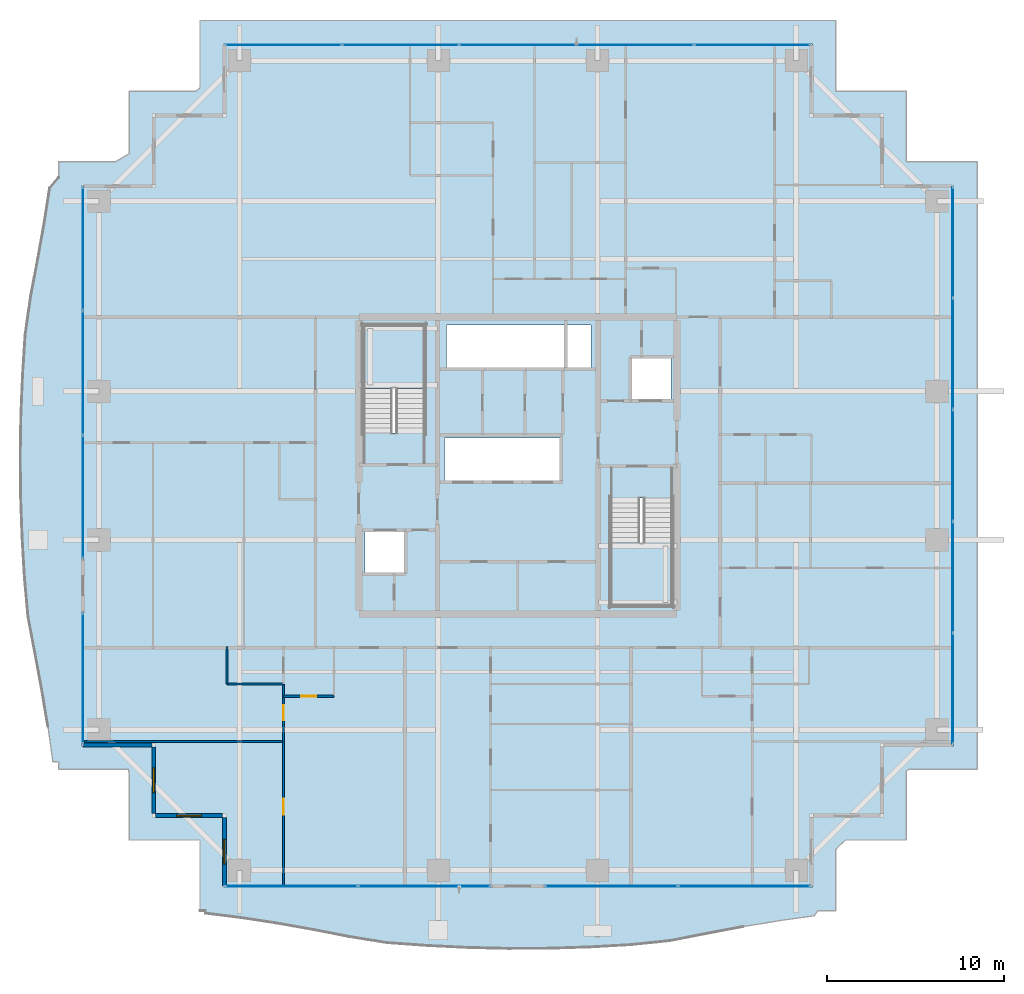
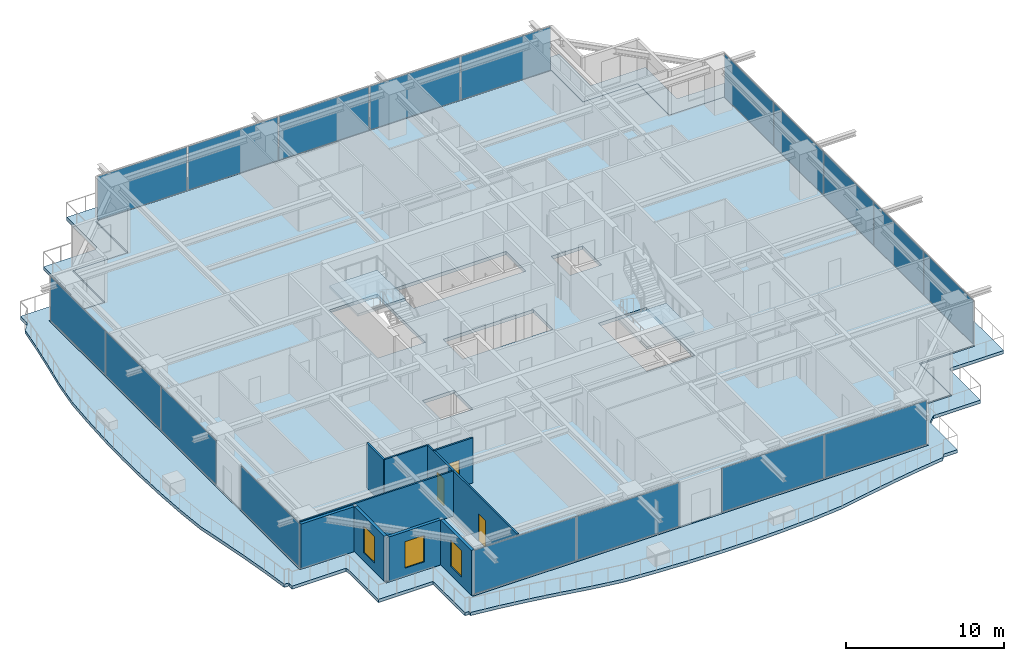
# One storey, part 22 of 35: 18 plates, 10 walls, 4 slabs, 3 doors, 3 windows, 6 openings, 8 elements without a shape of their own.
"""IFC4 building model written with IfcOpenShell, lengths in metres."""

from ifc_helpers import new_model, si_unit, direction, frame, frame_2d, origin, origin_2d, place, context, subcontext, project, spatial, polyline, rectangle, outline, extrude, source, transform, mapped, material, layer, layer_set, type_object, element, fill, aggregate, save


model = new_model("IFC4")

# Units and contexts
model_context = context("Model", 3, precision=1e-05, world=origin(), true_north=direction((0.0, 1.0)))
body_context = subcontext(model_context, "Body", "Model", "MODEL_VIEW")
ifc_project = project(units=[si_unit("LENGTHUNIT", "METRE"), si_unit("AREAUNIT", "SQUARE_METRE"), si_unit("VOLUMEUNIT", "CUBIC_METRE"), si_unit("PLANEANGLEUNIT", "RADIAN"), si_unit("MASSUNIT", "GRAM", prefix="KILO")], contexts=[model_context])

# Site, building, storey
site_placement = place(None, origin())
site = spatial("IfcSite", under=ifc_project, at=site_placement, CompositionType="ELEMENT")
building_placement = place(site_placement, origin())
building = spatial("IfcBuilding", under=site, at=building_placement, Name="Serunith Strait Residences", CompositionType="ELEMENT")
storey_placement = place(building_placement, frame((0.0, 0.0, 157.64990234375)))
storey = spatial("IfcBuildingStorey", under=building, at=storey_placement, Name="L39", CompositionType="ELEMENT", Elevation=157.64990234375)

# Slab
ifc_material_1 = material(Name="Concrete C50/60", Category="concrete")
ifc_layer_1 = layer(ifc_material_1, 0.239990234375, Name="Concrete C50/60")
ifc_layer_set_1 = layer_set([ifc_layer_1], Name="Concrete C50/60")
slab_type_1 = type_object("IfcSlabType", Name="SLB-BALC-240", PredefinedType="FLOOR", material=ifc_layer_set_1)
slab_1_placement = place(storey_placement, frame((0.0, 0.0, -0.289794921875)))
element("IfcSlab", 1, at=slab_1_placement, inside=storey, type_object=slab_type_1, Name="L39 Planted Vertical-Forest Balcony Slab", PredefinedType="FLOOR", context=body_context, shape_type="SweptSolid", body=[
    extrude(outline(polyline([(14.419921875, 0.02001953125), (14.419921875, 4.02001953125), (10.419921875, 4.02001953125), (10.419921875, 7.682861328125), (10.370361328125, 8.02001953125), (6.419921875, 8.02001953125), (6.419921875, 8.4287109375), (6.0947265625, 8.447265625), (5.815185546875, 10.44873046875), (5.480712890625, 12.469970703125), (5.10009765625, 14.52783203125), (4.69677734375, 16.641357421875), (4.49658203125, 18.866943359375), (4.364013671875, 21.13525390625), (4.281982421875, 23.42822265625), (4.258544921875, 25.73388671875), (4.2958984375, 28.037109375), (4.390625, 30.32373046875), (4.53369140625, 32.581787109375), (4.842041015625, 34.759521484375), (5.239501953125, 36.84814453125), (5.60400390625, 38.888427734375), (5.91748046875, 40.899169921875), (6.419921875, 41.486083984375), (6.419921875, 42.3798828125), (9.62646484375, 42.3798828125), (10.419921875, 42.852783203125), (10.419921875, 46.3798828125), (14.192138671875, 46.3798828125), (14.419921875, 46.5625), (14.419921875, 50.3798828125), (50.3798828125, 50.3798828125), (50.3798828125, 46.3798828125), (54.3798828125, 46.3798828125), (54.3798828125, 42.3798828125), (58.3798828125, 42.3798828125), (58.3798828125, 8.02001953125), (54.51513671875, 8.02001953125), (54.3798828125, 7.921875), (54.3798828125, 4.02001953125), (50.935791015625, 4.02001953125), (50.3798828125, 3.485107421875), (50.3798828125, 0.02001953125), (49.37353515625, 0.02001953125), (49.166015625, -0.27001953125), (47.16748046875, -0.548583984375), (45.150634765625, -0.8857421875), (43.0966796875, -1.27294921875), (40.985595703125, -1.686279296875), (38.760986328125, -1.9150390625), (36.48291015625, -2.043701171875), (34.178955078125, -2.116943359375), (31.8642578125, -2.126953125), (29.55419921875, -2.072998046875), (27.2646484375, -1.960693359375), (25.0068359375, -1.80078125), (22.84423828125, -1.45166015625), (20.764892578125, -1.047607421875), (18.732421875, -0.685302734375), (16.726318359375, -0.37939453125), (14.731201171875, -0.13232421875), (14.732421875, 0.02001953125), (14.419921875, 0.02001953125)]), holes=[polyline([(49.054931640625, 1.344970703125), (49.054931640625, 5.344970703125), (53.054931640625, 5.344970703125), (53.054931640625, 9.344970703125), (57.054931640625, 9.344970703125), (57.054931640625, 41.054931640625), (53.054931640625, 41.054931640625), (53.054931640625, 45.054931640625), (49.054931640625, 45.054931640625), (49.054931640625, 49.054931640625), (15.7451171875, 49.054931640625), (15.7451171875, 45.054931640625), (11.7451171875, 45.054931640625), (11.7451171875, 41.054931640625), (7.7451171875, 41.054931640625), (7.7451171875, 9.344970703125), (11.7451171875, 9.344970703125), (11.7451171875, 5.344970703125), (15.7451171875, 5.344970703125), (15.7451171875, 1.344970703125), (49.054931640625, 1.344970703125)])]), origin(), (0.0, 0.0, 1.0), 0.239990234375),
])

# Stair, slab
stair_type_1 = type_object("IfcStairType", Name="STR-CORE-1", PredefinedType="HALF_TURN_STAIR", material=ifc_material_1)
stair_1_placement = place(storey_placement, origin())
stair_1 = element("IfcStair", 2, at=stair_1_placement, inside=storey, type_object=stair_type_1, Name="L39 Protected Escape Stair ST-1", PredefinedType="HALF_TURN_STAIR")
ifc_layer_2 = layer(ifc_material_1, 0.199951171875, Name="Concrete C50/60")
ifc_layer_set_2 = layer_set([ifc_layer_2], Name="Concrete C50/60")
slab_type_2 = type_object("IfcSlabType", Name="SLB-LAND-200", PredefinedType="LANDING", material=ifc_layer_set_2)
slab_2_placement = place(storey_placement, frame((0.0, 0.0, 1.675048828125)))
slab_2 = element("IfcSlab", 3, at=slab_2_placement, type_object=slab_type_2, Name="ST-1 landing 1", PredefinedType="LANDING", context=body_context, shape_type="SweptSolid", body=[
    extrude(outline(polyline([(27.14990234375, 29.550048828125), (27.14990234375, 33.14990234375), (23.64990234375, 33.14990234375), (23.64990234375, 29.550048828125), (27.14990234375, 29.550048828125)])), origin(), (0.0, 0.0, 1.0), 0.199951171875),
])
aggregate(stair_1, [slab_2])

stair_type_2 = type_object("IfcStairType", Name="STR-CORE-2", PredefinedType="HALF_TURN_STAIR", material=ifc_material_1)
stair_2_placement = place(storey_placement, origin())
stair_2 = element("IfcStair", 4, at=stair_2_placement, inside=storey, type_object=stair_type_2, Name="L39 Protected Escape Stair ST-2", PredefinedType="HALF_TURN_STAIR")
slab_3_placement = place(storey_placement, frame((0.0, 0.0, 1.675048828125)))
slab_3 = element("IfcSlab", 5, at=slab_3_placement, type_object=slab_type_2, Name="ST-2 landing 1", PredefinedType="LANDING", context=body_context, shape_type="SweptSolid", body=[
    extrude(outline(polyline([(37.64990234375, 20.85009765625), (37.64990234375, 17.25), (41.14990234375, 17.25), (41.14990234375, 20.85009765625), (37.64990234375, 20.85009765625)])), origin(), (0.0, 0.0, 1.0), 0.199951171875),
])
aggregate(stair_2, [slab_3])

# Slab
ifc_material_2 = material(Name="Concrete C60/75", Category="concrete")
ifc_layer_3 = layer(ifc_material_2, 0.260009765625, Name="Concrete C60/75")
ifc_layer_set_3 = layer_set([ifc_layer_3], Name="Concrete C60/75")
slab_type_3 = type_object("IfcSlabType", Name="SLB-TWR-260-Z2", PredefinedType="FLOOR", material=ifc_layer_set_3)
slab_4_placement = place(storey_placement, frame((0.0, 0.0, -0.260009765625)))
element("IfcSlab", 6, at=slab_4_placement, inside=storey, type_object=slab_type_3, Name="L39 Structural Floor Plate", PredefinedType="FLOOR", context=body_context, shape_type="SweptSolid", body=[
    extrude(outline(polyline([(15.800048828125, 5.39990234375), (11.800048828125, 5.39990234375), (11.800048828125, 9.39990234375), (7.800048828125, 9.39990234375), (7.800048828125, 41.0), (11.800048828125, 41.0), (11.800048828125, 45.0), (15.800048828125, 45.0), (15.800048828125, 49.0), (49.0, 49.0), (49.0, 45.0), (53.0, 45.0), (53.0, 41.0), (57.0, 41.0), (57.0, 9.39990234375), (53.0, 9.39990234375), (53.0, 5.39990234375), (49.0, 5.39990234375), (49.0, 1.39990234375), (15.800048828125, 1.39990234375), (15.800048828125, 5.39990234375)]), holes=[polyline([(41.14990234375, 23.3701171875), (37.64990234375, 23.3701171875), (37.64990234375, 17.25), (41.14990234375, 17.25), (41.14990234375, 23.3701171875)]), polyline([(38.75, 31.25), (38.75, 28.85009765625), (41.050048828125, 28.85009765625), (41.050048828125, 31.25), (38.75, 31.25)]), polyline([(36.550048828125, 33.14990234375), (28.35009765625, 33.14990234375), (28.35009765625, 30.64990234375), (36.550048828125, 30.64990234375), (36.550048828125, 33.14990234375)]), polyline([(34.85009765625, 26.75), (28.25, 26.75), (28.25, 24.25), (34.85009765625, 24.25), (34.85009765625, 26.75)]), polyline([(23.64990234375, 33.14990234375), (23.64990234375, 27.030029296875), (27.14990234375, 27.030029296875), (27.14990234375, 33.14990234375), (23.64990234375, 33.14990234375)]), polyline([(26.050048828125, 21.550048828125), (23.75, 21.550048828125), (23.75, 19.14990234375), (26.050048828125, 19.14990234375), (26.050048828125, 21.550048828125)])]), origin(), (0.0, 0.0, 1.0), 0.260009765625),
])

# Curtain wall, plates
ifc_material_3 = material(Name="Pale-Champagne Anodised Aluminium", Category="aluminium")
ifc_layer_4 = layer(ifc_material_3, 0.199951171875, Name="Pale-Champagne Anodised Aluminium")
ifc_layer_set_4 = layer_set([ifc_layer_4], Name="Pale-Champagne Anodised Aluminium")
curtain_wall_type = type_object("IfcCurtainWallType", Name="CW-SYS2", PredefinedType="NOTDEFINED", material=ifc_layer_set_4)
curtain_wall_1_placement = place(storey_placement, origin())
curtain_wall_1 = element("IfcCurtainWall", 7, at=curtain_wall_1_placement, inside=storey, type_object=curtain_wall_type, Name="L39 N Unitised Fritted Curtain Wall", PredefinedType="NOTDEFINED")
ifc_material_4 = material(Name="Diagonal-Frit Operable Low-E Glazing 30mm", Category="glass")
ifc_layer_5 = layer(ifc_material_4, 0.030029296875, Name="Diagonal-Frit Operable Low-E Glazing 30mm")
ifc_layer_set_5 = layer_set([ifc_layer_5], Name="Diagonal-Frit Operable Low-E Glazing 30mm")
plate_type = type_object("IfcPlateType", Name="CW-SYS2-PNL", PredefinedType="CURTAIN_PANEL", material=ifc_layer_set_5)
shared_shape_1 = source(origin(), body_context, "Body", "SweptSolid", [
    extrude(rectangle(XDim=6.534912109375, YDim=0.030029296875, at=origin_2d()), origin(), (0.0, 0.0, 1.0), 3.35498046875),
])
plate_1_placement = place(storey_placement, frame((45.66259765625, 49.0, 0.06005859375), z_axis=(0.0, 0.0, 1.0), x_axis=(-1.0, 0.0, 0.0)))
plate_1 = element("IfcPlate", 8, at=plate_1_placement, type_object=plate_type, Name="CW-2 panel 1.1", PredefinedType="CURTAIN_PANEL", context=body_context, shape_type="MappedRepresentation", body=[
    mapped(shared_shape_1, transform((0.0, 0.0, 0.0), scale=1.0)),
])
plate_2_placement = place(storey_placement, frame((19.137451171875, 49.0, 0.06005859375), z_axis=(0.0, 0.0, 1.0), x_axis=(-1.0, 0.0, 0.0)))
plate_2 = element("IfcPlate", 9, at=plate_2_placement, type_object=plate_type, Name="CW-2 panel 5.1", PredefinedType="CURTAIN_PANEL", context=body_context, shape_type="MappedRepresentation", body=[
    mapped(shared_shape_1, transform((0.0, 0.0, 0.0), scale=1.0)),
])
shared_shape_2 = source(origin(), body_context, "Body", "SweptSolid", [
    extrude(rectangle(XDim=6.570068359375, YDim=0.030029296875, at=origin_2d()), origin(), (0.0, 0.0, 1.0), 3.35498046875),
])
plate_3_placement = place(storey_placement, frame((39.0400390625, 49.0, 0.06005859375), z_axis=(0.0, 0.0, 1.0), x_axis=(-1.0, 0.0, 0.0)))
plate_3 = element("IfcPlate", 10, at=plate_3_placement, type_object=plate_type, Name="CW-2 panel 2.1", PredefinedType="CURTAIN_PANEL", context=body_context, shape_type="MappedRepresentation", body=[
    mapped(shared_shape_2, transform((0.0, 0.0, 0.0), scale=1.0)),
])
plate_4_placement = place(storey_placement, frame((32.39990234375, 49.0, 0.06005859375), z_axis=(0.0, 0.0, 1.0), x_axis=(-1.0, 0.0, 0.0)))
plate_4 = element("IfcPlate", 11, at=plate_4_placement, type_object=plate_type, Name="CW-2 panel 3.1", PredefinedType="CURTAIN_PANEL", context=body_context, shape_type="MappedRepresentation", body=[
    mapped(shared_shape_2, transform((0.0, 0.0, 0.0), scale=1.0)),
])
plate_5_placement = place(storey_placement, frame((25.760009765625, 49.0, 0.06005859375), z_axis=(0.0, 0.0, 1.0), x_axis=(-1.0, 0.0, 0.0)))
plate_5 = element("IfcPlate", 12, at=plate_5_placement, type_object=plate_type, Name="CW-2 panel 4.1", PredefinedType="CURTAIN_PANEL", context=body_context, shape_type="MappedRepresentation", body=[
    mapped(shared_shape_2, transform((0.0, 0.0, 0.0), scale=1.0)),
])
aggregate(curtain_wall_1, [plate_1, plate_3, plate_4, plate_5, plate_2])

curtain_wall_2_placement = place(storey_placement, origin())
curtain_wall_2 = element("IfcCurtainWall", 13, at=curtain_wall_2_placement, inside=storey, type_object=curtain_wall_type, Name="L39 E Unitised Fritted Curtain Wall", PredefinedType="NOTDEFINED")
shared_shape_3 = source(origin(), body_context, "Body", "SweptSolid", [
    extrude(rectangle(XDim=6.215087890625, YDim=0.030029296875, at=origin_2d()), origin(), (0.0, 0.0, 1.0), 3.35498046875),
])
plate_6_placement = place(storey_placement, frame((57.0, 12.577392578125, 0.06005859375), z_axis=(0.0, 0.0, 1.0), x_axis=(0.0, 1.0, 0.0)))
plate_6 = element("IfcPlate", 14, at=plate_6_placement, type_object=plate_type, Name="CW-2 panel 1.1", PredefinedType="CURTAIN_PANEL", context=body_context, shape_type="MappedRepresentation", body=[
    mapped(shared_shape_3, transform((0.0, 0.0, 0.0), scale=1.0)),
])
plate_7_placement = place(storey_placement, frame((57.0, 37.822509765625, 0.06005859375), z_axis=(0.0, 0.0, 1.0), x_axis=(0.0, 1.0, 0.0)))
plate_7 = element("IfcPlate", 15, at=plate_7_placement, type_object=plate_type, Name="CW-2 panel 5.1", PredefinedType="CURTAIN_PANEL", context=body_context, shape_type="MappedRepresentation", body=[
    mapped(shared_shape_3, transform((0.0, 0.0, 0.0), scale=1.0)),
])
shared_shape_4 = source(origin(), body_context, "Body", "SweptSolid", [
    extrude(rectangle(XDim=6.25, YDim=0.030029296875, at=origin_2d()), origin(), (0.0, 0.0, 1.0), 3.35498046875),
])
plate_8_placement = place(storey_placement, frame((57.0, 18.8798828125, 0.06005859375), z_axis=(0.0, 0.0, 1.0), x_axis=(0.0, 1.0, 0.0)))
plate_8 = element("IfcPlate", 16, at=plate_8_placement, type_object=plate_type, Name="CW-2 panel 2.1", PredefinedType="CURTAIN_PANEL", context=body_context, shape_type="MappedRepresentation", body=[
    mapped(shared_shape_4, transform((0.0, 0.0, 0.0), scale=1.0)),
])
plate_9_placement = place(storey_placement, frame((57.0, 25.199951171875, 0.06005859375), z_axis=(0.0, 0.0, 1.0), x_axis=(0.0, 1.0, 0.0)))
plate_9 = element("IfcPlate", 17, at=plate_9_placement, type_object=plate_type, Name="CW-2 panel 3.1", PredefinedType="CURTAIN_PANEL", context=body_context, shape_type="MappedRepresentation", body=[
    mapped(shared_shape_4, transform((0.0, 0.0, 0.0), scale=1.0)),
])
plate_10_placement = place(storey_placement, frame((57.0, 31.52001953125, 0.06005859375), z_axis=(0.0, 0.0, 1.0), x_axis=(0.0, 1.0, 0.0)))
plate_10 = element("IfcPlate", 18, at=plate_10_placement, type_object=plate_type, Name="CW-2 panel 4.1", PredefinedType="CURTAIN_PANEL", context=body_context, shape_type="MappedRepresentation", body=[
    mapped(shared_shape_4, transform((0.0, 0.0, 0.0), scale=1.0)),
])
aggregate(curtain_wall_2, [plate_6, plate_8, plate_9, plate_10, plate_7])

# Curtain wall, plate
curtain_wall_3_placement = place(storey_placement, origin())
curtain_wall_3 = element("IfcCurtainWall", 19, at=curtain_wall_3_placement, inside=storey, type_object=curtain_wall_type, Name="L39 W Unitised Fritted Curtain Wall", PredefinedType="NOTDEFINED")
shared_shape_5 = source(origin(), body_context, "Body", "SweptSolid", [
    extrude(rectangle(XDim=7.360107421875, YDim=0.030029296875, at=origin_2d()), origin(), (0.0, 0.0, 1.0), 3.35498046875),
])
plate_11_placement = place(storey_placement, frame((7.800048828125, 13.14990234375, 0.06005859375), z_axis=(0.0, 0.0, 1.0), x_axis=(0.0, -1.0, 0.0)))
plate_11 = element("IfcPlate", 20, at=plate_11_placement, type_object=plate_type, Name="CW-2 panel 1.1", PredefinedType="CURTAIN_PANEL", context=body_context, shape_type="MappedRepresentation", body=[
    mapped(shared_shape_5, transform((0.0, 0.0, 0.0), scale=1.0)),
])
aggregate(curtain_wall_3, [plate_11])

# Curtain wall, plates
curtain_wall_4_placement = place(storey_placement, origin())
curtain_wall_4 = element("IfcCurtainWall", 21, at=curtain_wall_4_placement, inside=storey, type_object=curtain_wall_type, Name="L39 W Unitised Fritted Curtain Wall", PredefinedType="NOTDEFINED")
shared_shape_6 = source(origin(), body_context, "Body", "SweptSolid", [
    extrude(rectangle(XDim=6.92822265625, YDim=0.030029296875, at=origin_2d()), origin(), (0.0, 0.0, 1.0), 3.35498046875),
])
plate_12_placement = place(storey_placement, frame((7.800048828125, 37.4658203125, 0.06005859375), z_axis=(0.0, 0.0, 1.0), x_axis=(0.0, -1.0, 0.0)))
plate_12 = element("IfcPlate", 22, at=plate_12_placement, type_object=plate_type, Name="CW-2 panel 1.1", PredefinedType="CURTAIN_PANEL", context=body_context, shape_type="MappedRepresentation", body=[
    mapped(shared_shape_6, transform((0.0, 0.0, 0.0), scale=1.0)),
])
plate_13_placement = place(storey_placement, frame((7.800048828125, 23.43408203125, 0.06005859375), z_axis=(0.0, 0.0, 1.0), x_axis=(0.0, -1.0, 0.0)))
plate_13 = element("IfcPlate", 23, at=plate_13_placement, type_object=plate_type, Name="CW-2 panel 3.1", PredefinedType="CURTAIN_PANEL", context=body_context, shape_type="MappedRepresentation", body=[
    mapped(shared_shape_6, transform((0.0, 0.0, 0.0), scale=1.0)),
])
shared_shape_7 = source(origin(), body_context, "Body", "SweptSolid", [
    extrude(rectangle(XDim=6.96337890625, YDim=0.030029296875, at=origin_2d()), origin(), (0.0, 0.0, 1.0), 3.35498046875),
])
plate_14_placement = place(storey_placement, frame((7.800048828125, 30.449951171875, 0.06005859375), z_axis=(0.0, 0.0, 1.0), x_axis=(0.0, -1.0, 0.0)))
plate_14 = element("IfcPlate", 24, at=plate_14_placement, type_object=plate_type, Name="CW-2 panel 2.1", PredefinedType="CURTAIN_PANEL", context=body_context, shape_type="MappedRepresentation", body=[
    mapped(shared_shape_7, transform((0.0, 0.0, 0.0), scale=1.0)),
])
aggregate(curtain_wall_4, [plate_12, plate_14, plate_13])

curtain_wall_5_placement = place(storey_placement, origin())
curtain_wall_5 = element("IfcCurtainWall", 25, at=curtain_wall_5_placement, inside=storey, type_object=curtain_wall_type, Name="L39 S Unitised Fritted Curtain Wall", PredefinedType="NOTDEFINED")
shared_shape_8 = source(origin(), body_context, "Body", "SweptSolid", [
    extrude(rectangle(XDim=7.445068359375, YDim=0.030029296875, at=origin_2d()), origin(), (0.0, 0.0, 1.0), 3.35498046875),
])
plate_15_placement = place(storey_placement, frame((19.592529296875, 1.39990234375, 0.06005859375), z_axis=(0.0, 0.0, 1.0), x_axis=(1.0, 0.0, 0.0)))
plate_15 = element("IfcPlate", 26, at=plate_15_placement, type_object=plate_type, Name="CW-2 panel 1.1", PredefinedType="CURTAIN_PANEL", context=body_context, shape_type="MappedRepresentation", body=[
    mapped(shared_shape_8, transform((0.0, 0.0, 0.0), scale=1.0)),
])
plate_16_placement = place(storey_placement, frame((27.107421875, 1.39990234375, 0.06005859375), z_axis=(0.0, 0.0, 1.0), x_axis=(1.0, 0.0, 0.0)))
plate_16 = element("IfcPlate", 27, at=plate_16_placement, type_object=plate_type, Name="CW-2 panel 2.1", PredefinedType="CURTAIN_PANEL", context=body_context, shape_type="MappedRepresentation", body=[
    mapped(shared_shape_8, transform((0.0, 0.0, 0.0), scale=1.0)),
])
aggregate(curtain_wall_5, [plate_15, plate_16])

curtain_wall_6_placement = place(storey_placement, origin())
curtain_wall_6 = element("IfcCurtainWall", 28, at=curtain_wall_6_placement, inside=storey, type_object=curtain_wall_type, Name="L39 S Unitised Fritted Curtain Wall", PredefinedType="NOTDEFINED")
plate_17_placement = place(storey_placement, frame((37.6923828125, 1.39990234375, 0.06005859375), z_axis=(0.0, 0.0, 1.0), x_axis=(1.0, 0.0, 0.0)))
plate_17 = element("IfcPlate", 29, at=plate_17_placement, type_object=plate_type, Name="CW-2 panel 1.1", PredefinedType="CURTAIN_PANEL", context=body_context, shape_type="MappedRepresentation", body=[
    mapped(shared_shape_8, transform((0.0, 0.0, 0.0), scale=1.0)),
])
plate_18_placement = place(storey_placement, frame((45.20751953125, 1.39990234375, 0.06005859375), z_axis=(0.0, 0.0, 1.0), x_axis=(1.0, 0.0, 0.0)))
plate_18 = element("IfcPlate", 30, at=plate_18_placement, type_object=plate_type, Name="CW-2 panel 2.1", PredefinedType="CURTAIN_PANEL", context=body_context, shape_type="MappedRepresentation", body=[
    mapped(shared_shape_8, transform((0.0, 0.0, 0.0), scale=1.0)),
])
aggregate(curtain_wall_6, [plate_17, plate_18])

# Wall
ifc_material_5 = material(Name="Pale-Champagne Aluminium Insulated Panel", Category="aluminium")
ifc_layer_6 = layer(ifc_material_5, 0.219970703125, Name="Pale-Champagne Aluminium Insulated Panel")
ifc_layer_set_6 = layer_set([ifc_layer_6], Name="Pale-Champagne Aluminium Insulated Panel")
wall_type_1 = type_object("IfcWallType", Name="EW-ALUM-220", PredefinedType="ELEMENTEDWALL", material=ifc_layer_set_6)
wall_1_placement = place(storey_placement, frame((7.800048828125, 9.39990234375, 0.0), z_axis=(0.0, 0.0, 1.0), x_axis=(1.0, 0.0, 0.0)))
element("IfcWall", 31, at=wall_1_placement, inside=storey, type_object=wall_type_1, Name="L39 Girih Serrated Corner Wall 17", PredefinedType="ELEMENTEDWALL", context=body_context, shape_type="SweptSolid", body=[
    extrude(rectangle(XDim=3.889892578125, YDim=0.219970703125, at=frame_2d((1.94482421875, 0.0))), origin(), (0.0, 0.0, 1.0), 3.47509765625),
])

# Wall, opening, window
wall_2_placement = place(storey_placement, frame((11.800048828125, 9.2900390625, 0.0), z_axis=(0.0, 0.0, 1.0), x_axis=(0.0, -1.0, 0.0)))
wall_2 = element("IfcWall", 32, at=wall_2_placement, inside=storey, type_object=wall_type_1, Name="L39 Girih Serrated Corner Wall 18", PredefinedType="ELEMENTEDWALL", context=body_context, shape_type="SweptSolid", body=[
    extrude(rectangle(XDim=3.780029296875, YDim=0.219970703125, at=frame_2d((1.89013671875, 0.0))), origin(), (0.0, 0.0, 1.0), 3.47509765625),
])
opening_1_placement = place(wall_2_placement, frame((1.18994140625, 0.0, 0.64990234375)))
opening_1 = element("IfcOpeningElement", 33, at=opening_1_placement, cuts=wall_2, Name="Opening W-03", PredefinedType="OPENING", context=body_context, shape_type="SweptSolid", body=[
    extrude(rectangle(XDim=1.39990234375, YDim=2.050048828125, at=frame_2d((0.699951171875, 1.02490234375))), frame((0.0, 0.1201171875, 0.0), z_axis=(0.0, -1.0, 0.0), x_axis=(1.0, 0.0, 0.0)), (0.0, 0.0, 1.0), 0.239990234375),
])
ifc_material_6 = material(Name="Ceramic-Fritted Operable Aluminium Window Glass", Category="aluminium")
window_type = type_object("IfcWindowType", Name="WIN-C3", PartitioningType="SINGLE_PANEL", PredefinedType="WINDOW", material=ifc_material_6)
shared_shape_9 = source(origin(), body_context, "Body", "SweptSolid", [
    extrude(rectangle(XDim=1.39990234375, YDim=2.050048828125, at=frame_2d((0.699951171875, 1.02490234375))), frame((0.0, 0.030029296875, 0.0), z_axis=(0.0, -1.0, 0.0), x_axis=(1.0, 0.0, 0.0)), (0.0, 0.0, 1.0), 0.06005859375),
])
window_1_placement = place(opening_1_placement, origin())
window_1 = element("IfcWindow", 34, at=window_1_placement, inside=storey, type_object=window_type, Name="L39 Corner Operable Fritted Window 18", OverallHeight=2.050048828125, OverallWidth=1.39990234375, PartitioningType="SINGLE_PANEL", PredefinedType="WINDOW", context=body_context, shape_type="MappedRepresentation", body=[
    mapped(shared_shape_9, transform((0.0, 0.0, 0.0), scale=1.0)),
])
fill(opening_1, window_1)

wall_3_placement = place(storey_placement, frame((11.909912109375, 5.39990234375, 0.0), z_axis=(0.0, 0.0, 1.0), x_axis=(1.0, 0.0, 0.0)))
wall_3 = element("IfcWall", 35, at=wall_3_placement, inside=storey, type_object=wall_type_1, Name="L39 Girih Serrated Corner Wall 19", PredefinedType="ELEMENTEDWALL", context=body_context, shape_type="SweptSolid", body=[
    extrude(rectangle(XDim=3.780029296875, YDim=0.219970703125, at=frame_2d((1.89013671875, 0.0))), origin(), (0.0, 0.0, 1.0), 3.47509765625),
])
opening_2_placement = place(wall_3_placement, frame((1.18994140625, 0.0, 0.64990234375)))
opening_2 = element("IfcOpeningElement", 36, at=opening_2_placement, cuts=wall_3, Name="Opening W-03", PredefinedType="OPENING", context=body_context, shape_type="SweptSolid", body=[
    extrude(rectangle(XDim=1.39990234375, YDim=2.050048828125, at=frame_2d((0.699951171875, 1.02490234375))), frame((0.0, 0.1201171875, 0.0), z_axis=(0.0, -1.0, 0.0), x_axis=(1.0, 0.0, 0.0)), (0.0, 0.0, 1.0), 0.239990234375),
])
window_2_placement = place(opening_2_placement, origin())
window_2 = element("IfcWindow", 37, at=window_2_placement, inside=storey, type_object=window_type, Name="L39 Corner Operable Fritted Window 19", OverallHeight=2.050048828125, OverallWidth=1.39990234375, PartitioningType="SINGLE_PANEL", PredefinedType="WINDOW", context=body_context, shape_type="MappedRepresentation", body=[
    mapped(shared_shape_9, transform((0.0, 0.0, 0.0), scale=1.0)),
])
fill(opening_2, window_2)

wall_4_placement = place(storey_placement, frame((15.800048828125, 5.2900390625, 0.0), z_axis=(0.0, 0.0, 1.0), x_axis=(0.0, -1.0, 0.0)))
wall_4 = element("IfcWall", 38, at=wall_4_placement, inside=storey, type_object=wall_type_1, Name="L39 Girih Serrated Corner Wall 20", PredefinedType="ELEMENTEDWALL", context=body_context, shape_type="SweptSolid", body=[
    extrude(rectangle(XDim=3.89013671875, YDim=0.219970703125, at=frame_2d((1.945068359375, 0.0))), origin(), (0.0, 0.0, 1.0), 3.47509765625),
])
opening_3_placement = place(wall_4_placement, frame((1.2451171875, 0.0, 0.64990234375)))
opening_3 = element("IfcOpeningElement", 39, at=opening_3_placement, cuts=wall_4, Name="Opening W-03", PredefinedType="OPENING", context=body_context, shape_type="SweptSolid", body=[
    extrude(rectangle(XDim=1.39990234375, YDim=2.050048828125, at=frame_2d((0.699951171875, 1.02490234375))), frame((0.0, 0.1201171875, 0.0), z_axis=(0.0, -1.0, 0.0), x_axis=(1.0, 0.0, 0.0)), (0.0, 0.0, 1.0), 0.239990234375),
])
window_3_placement = place(opening_3_placement, origin())
window_3 = element("IfcWindow", 40, at=window_3_placement, inside=storey, type_object=window_type, Name="L39 Corner Operable Fritted Window 20", OverallHeight=2.050048828125, OverallWidth=1.39990234375, PartitioningType="SINGLE_PANEL", PredefinedType="WINDOW", context=body_context, shape_type="MappedRepresentation", body=[
    mapped(shared_shape_9, transform((0.0, 0.0, 0.0), scale=1.0)),
])
fill(opening_3, window_3)

# Wall, opening, door
ifc_material_7 = material(Name="Lightweight steel-stud gypsum partition", Category="steel")
ifc_layer_7 = layer(ifc_material_7, 0.1201171875, Name="Lightweight steel-stud gypsum partition")
ifc_layer_set_7 = layer_set([ifc_layer_7], Name="Lightweight steel-stud gypsum partition")
wall_type_2 = type_object("IfcWallType", Name="IW-PART-120", PredefinedType="PARTITIONING", material=ifc_layer_set_7)
wall_5_placement = place(storey_placement, frame((19.139892578125, 12.14990234375, 0.0), z_axis=(0.0, 0.0, 1.0), x_axis=(1.0, 0.0, 0.0)))
wall_5 = element("IfcWall", 41, at=wall_5_placement, inside=storey, type_object=wall_type_2, Name="L39 Partition Wall 032", PredefinedType="PARTITIONING", context=body_context, shape_type="SweptSolid", body=[
    extrude(rectangle(XDim=2.85009765625, YDim=0.1201171875, at=frame_2d((1.425048828125, 0.0))), origin(), (0.0, 0.0, 1.0), 3.489990234375),
])
opening_4_placement = place(wall_5_placement, frame((1.0, 0.0, 0.0)))
opening_4 = element("IfcOpeningElement", 42, at=opening_4_placement, cuts=wall_5, Name="Opening D-RM850", PredefinedType="OPENING", context=body_context, shape_type="SweptSolid", body=[
    extrude(rectangle(XDim=0.85009765625, YDim=2.10009765625, at=frame_2d((0.425048828125, 1.050048828125))), frame((0.0, 0.070068359375, 0.0), z_axis=(0.0, -1.0, 0.0), x_axis=(1.0, 0.0, 0.0)), (0.0, 0.0, 1.0), 0.14013671875),
])
ifc_material_8 = material(Name="Engineered timber flush study and kitchen door", Category="wood")
door_type_1 = type_object("IfcDoorType", Name="ID-ROOM-850", OperationType="NOTDEFINED", PredefinedType="DOOR", material=ifc_material_8)
shared_shape_10 = source(origin(), body_context, "Body", "SweptSolid", [
    extrude(rectangle(XDim=0.85009765625, YDim=2.10009765625, at=frame_2d((0.425048828125, 1.050048828125))), frame((0.0, 0.02490234375, 0.0), z_axis=(0.0, -1.0, 0.0), x_axis=(1.0, 0.0, 0.0)), (0.0, 0.0, 1.0), 0.050048828125),
])
door_1_placement = place(opening_4_placement, origin())
door_1 = element("IfcDoor", 43, at=door_1_placement, inside=storey, type_object=door_type_1, Name="L39 Kitchen 3901 Door", OperationType="SINGLE_SWING_LEFT", OverallHeight=2.10009765625, OverallWidth=0.85009765625, PredefinedType="DOOR", context=body_context, shape_type="MappedRepresentation", body=[
    mapped(shared_shape_10, transform((0.0, 0.0, 0.0), scale=1.0)),
])
fill(opening_4, door_1)

wall_6_placement = place(storey_placement, frame((19.139892578125, 1.4951171875, 0.0), z_axis=(0.0, 0.0, 1.0), x_axis=(0.0, 1.0, 0.0)))
wall_6 = element("IfcWall", 44, at=wall_6_placement, inside=storey, type_object=wall_type_2, Name="L39 Partition Wall 034", PredefinedType="PARTITIONING", context=body_context, shape_type="SweptSolid", body=[
    extrude(rectangle(XDim=8.102783203125, YDim=0.1201171875, at=frame_2d((4.05126953125, 0.0))), origin(), (0.0, 0.0, 1.0), 3.489990234375),
])
opening_5_placement = place(wall_6_placement, frame((3.9619140625, 0.0, 0.0)))
opening_5 = element("IfcOpeningElement", 45, at=opening_5_placement, cuts=wall_6, Name="Opening D-RM900", PredefinedType="OPENING", context=body_context, shape_type="SweptSolid", body=[
    extrude(rectangle(XDim=0.89990234375, YDim=2.10009765625, at=frame_2d((0.449951171875, 1.050048828125))), frame((0.0, 0.070068359375, 0.0), z_axis=(0.0, -1.0, 0.0), x_axis=(1.0, 0.0, 0.0)), (0.0, 0.0, 1.0), 0.14013671875),
])
ifc_material_9 = material(Name="Engineered timber flush bedroom door", Category="wood")
door_type_2 = type_object("IfcDoorType", Name="ID-ROOM-900", OperationType="NOTDEFINED", PredefinedType="DOOR", material=ifc_material_9)
shared_shape_11 = source(origin(), body_context, "Body", "SweptSolid", [
    extrude(rectangle(XDim=0.89990234375, YDim=2.10009765625, at=frame_2d((0.449951171875, 1.050048828125))), frame((0.0, 0.02490234375, 0.0), z_axis=(0.0, -1.0, 0.0), x_axis=(1.0, 0.0, 0.0)), (0.0, 0.0, 1.0), 0.050048828125),
])
door_2_placement = place(opening_5_placement, origin())
door_2 = element("IfcDoor", 46, at=door_2_placement, inside=storey, type_object=door_type_2, Name="L39 Master Bedroom 1 3901 Door", OperationType="SINGLE_SWING_RIGHT", OverallHeight=2.10009765625, OverallWidth=0.89990234375, PredefinedType="DOOR", context=body_context, shape_type="MappedRepresentation", body=[
    mapped(shared_shape_11, transform((0.0, 0.0, 0.0), scale=1.0)),
])
fill(opening_5, door_2)

# Walls
wall_7_placement = place(storey_placement, frame((7.89501953125, 9.597900390625, 0.0), z_axis=(0.0, 0.0, 1.0), x_axis=(1.0, 0.0, 0.0)))
element("IfcWall", 47, at=wall_7_placement, inside=storey, type_object=wall_type_2, Name="L39 Partition Wall 035", PredefinedType="PARTITIONING", context=body_context, shape_type="SweptSolid", body=[
    extrude(rectangle(XDim=11.244873046875, YDim=0.1201171875, at=frame_2d((5.62255859375, 0.0))), origin(), (0.0, 0.0, 1.0), 3.489990234375),
])
wall_8_placement = place(storey_placement, frame((15.93994140625, 12.85009765625, 0.0), z_axis=(0.0, 0.0, 1.0), x_axis=(1.0, 0.0, 0.0)))
element("IfcWall", 48, at=wall_8_placement, inside=storey, type_object=wall_type_2, Name="L39 Partition Wall 036", PredefinedType="PARTITIONING", context=body_context, shape_type="SweptSolid", body=[
    extrude(rectangle(XDim=3.199951171875, YDim=0.1201171875, at=frame_2d((1.60009765625, 0.0))), origin(), (0.0, 0.0, 1.0), 3.489990234375),
])
wall_9_placement = place(storey_placement, frame((15.93994140625, 12.85009765625, 0.0), z_axis=(0.0, 0.0, 1.0), x_axis=(0.0, 1.0, 0.0)))
element("IfcWall", 49, at=wall_9_placement, inside=storey, type_object=wall_type_2, Name="L39 Partition Wall 037", PredefinedType="PARTITIONING", context=body_context, shape_type="SweptSolid", body=[
    extrude(rectangle(XDim=2.10986328125, YDim=0.1201171875, at=frame_2d((1.054931640625, 0.0))), origin(), (0.0, 0.0, 1.0), 3.489990234375),
])

# Wall, opening, door
wall_10_placement = place(storey_placement, frame((19.139892578125, 9.60009765625, 0.0), z_axis=(0.0, 0.0, 1.0), x_axis=(0.0, 1.0, 0.0)))
wall_10 = element("IfcWall", 50, at=wall_10_placement, inside=storey, type_object=wall_type_2, Name="L39 Partition Wall 038", PredefinedType="PARTITIONING", context=body_context, shape_type="SweptSolid", body=[
    extrude(rectangle(XDim=3.25, YDim=0.1201171875, at=frame_2d((1.625, 0.0))), origin(), (0.0, 0.0, 1.0), 3.489990234375),
])
opening_6_placement = place(wall_10_placement, frame((1.199951171875, 0.0, 0.0)))
opening_6 = element("IfcOpeningElement", 51, at=opening_6_placement, cuts=wall_10, Name="Opening D-RM850", PredefinedType="OPENING", context=body_context, shape_type="SweptSolid", body=[
    extrude(rectangle(XDim=0.85009765625, YDim=2.10009765625, at=frame_2d((0.425048828125, 1.050048828125))), frame((0.0, 0.070068359375, 0.0), z_axis=(0.0, -1.0, 0.0), x_axis=(1.0, 0.0, 0.0)), (0.0, 0.0, 1.0), 0.14013671875),
])
door_3_placement = place(opening_6_placement, origin())
door_3 = element("IfcDoor", 52, at=door_3_placement, inside=storey, type_object=door_type_1, Name="L39 Walk-in Wardrobe 3901 Door", OperationType="SINGLE_SWING_LEFT", OverallHeight=2.10009765625, OverallWidth=0.85009765625, PredefinedType="DOOR", context=body_context, shape_type="MappedRepresentation", body=[
    mapped(shared_shape_10, transform((0.0, 0.0, 0.0), scale=1.0)),
])
fill(opening_6, door_3)

save(model, "model.ifc")
